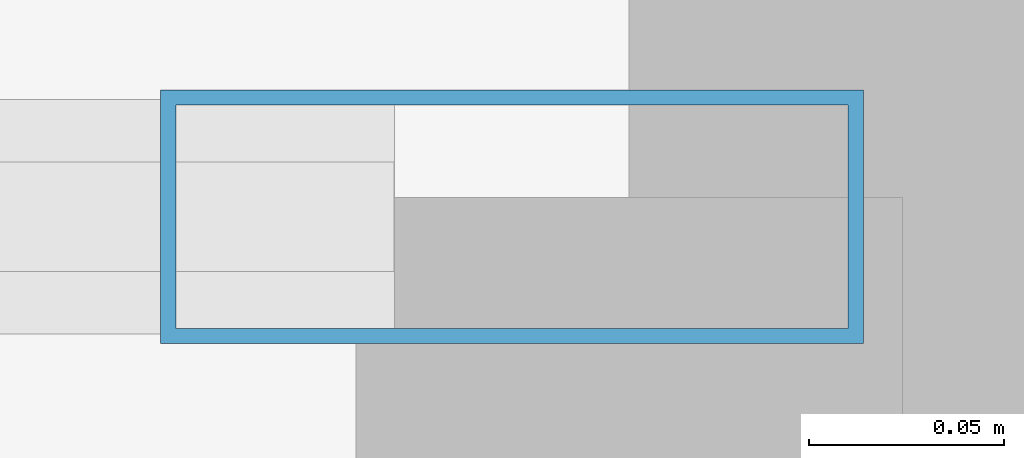
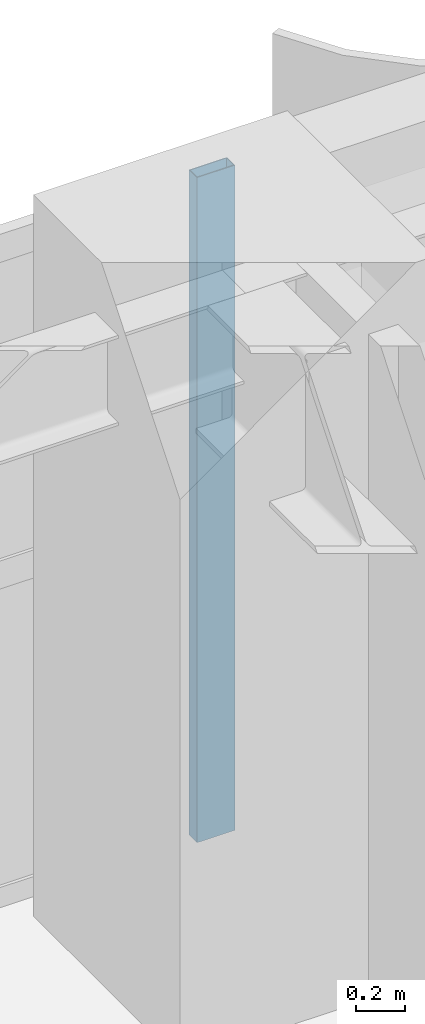
# One storey, part 14 of 24: 1 member, 1 element without a shape of its own.
"""IFC4 building model written with IfcOpenShell, lengths in metres."""

from ifc_helpers import new_model, si_unit, direction, frame, origin, origin_2d, place, context, subcontext, project, spatial, hollow_rectangle, extrude, source, transform, mapped, material, layer, layer_set, material_profile, profile_set, type_object, element, aggregate, save


model = new_model("IFC4")

# Units and contexts
model_context = context("Model", 3, precision=1e-05, world=origin(), true_north=direction((0.0, 1.0)))
body_context = subcontext(model_context, "Body", "Model", "MODEL_VIEW")
ifc_project = project(units=[si_unit("LENGTHUNIT", "METRE"), si_unit("AREAUNIT", "SQUARE_METRE"), si_unit("VOLUMEUNIT", "CUBIC_METRE"), si_unit("PLANEANGLEUNIT", "RADIAN"), si_unit("MASSUNIT", "GRAM", prefix="KILO")], contexts=[model_context])

# Site, building, storey
site_placement = place(None, origin())
site = spatial("IfcSite", under=ifc_project, at=site_placement, CompositionType="ELEMENT")
building_placement = place(site_placement, origin())
building = spatial("IfcBuilding", under=site, at=building_placement, Name="Khoralis Quay Care Tower", CompositionType="ELEMENT")
storey_placement = place(building_placement, frame((0.0, 0.0, 40.5)))
storey = spatial("IfcBuildingStorey", under=building, at=storey_placement, Name="L10", CompositionType="ELEMENT", Elevation=40.5)

# Curtain wall, member
ifc_material = material(Name="Pale anodised aluminium", Category="aluminium")
ifc_layer = layer(ifc_material, 0.179931640625)
ifc_layer_set = layer_set([ifc_layer], Name="Pale anodised aluminium")
curtain_wall_type = type_object("IfcCurtainWallType", Name="CW-SYS-Z1", PredefinedType="NOTDEFINED", material=ifc_layer_set)
curtain_wall_placement = place(storey_placement, origin())
curtain_wall = element("IfcCurtainWall", 1, at=curtain_wall_placement, inside=storey, type_object=curtain_wall_type, Name="L10 Unitised Curtain Wall CW-L10-P1-E10", PredefinedType="NOTDEFINED")
ifc_material_profile = material_profile(ifc_material, hollow_rectangle(XDim=0.06494140625, YDim=0.179931640625, WallThickness=0.00390625, at=origin_2d()), Name="Pale anodised aluminium")
ifc_profile_set = profile_set([ifc_material_profile], Name="Pale anodised aluminium")
member_type = type_object("IfcMemberType", Name="CW-MUL-180", PredefinedType="MULLION", material=ifc_profile_set)
shared_shape = source(origin(), body_context, "Body", "SweptSolid", [
    extrude(hollow_rectangle(XDim=0.06494140625, YDim=0.179931640625, WallThickness=0.00390625, at=origin_2d()), origin(), (0.0, 0.0, 1.0), 3.320068359375),
])
member_placement = place(storey_placement, frame((31.22998046875, 47.85009765625, 0.0), z_axis=(0.0, 0.0, 1.0), x_axis=(0.0, -1.0, 0.0)))
member = element("IfcMember", 2, at=member_placement, type_object=member_type, Name="CW1 mullion 1", PredefinedType="MULLION", context=body_context, shape_type="MappedRepresentation", body=[
    mapped(shared_shape, transform((0.0, 0.0, 0.0), scale=1.0)),
])
aggregate(curtain_wall, [member])

save(model, "model.ifc")
